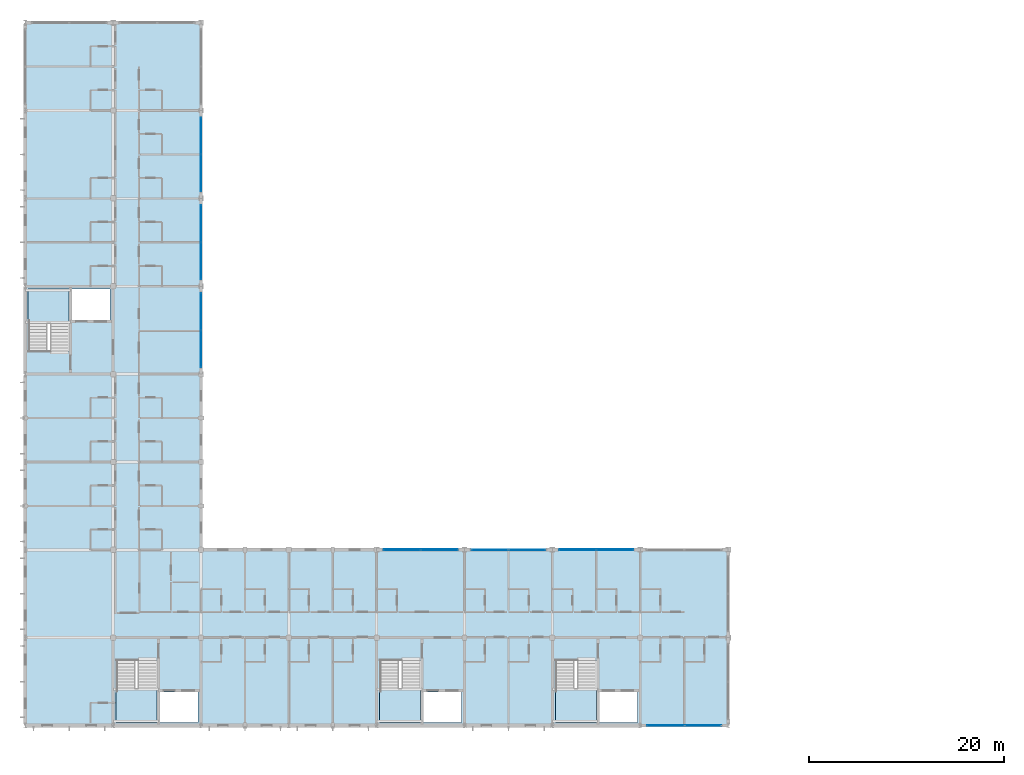
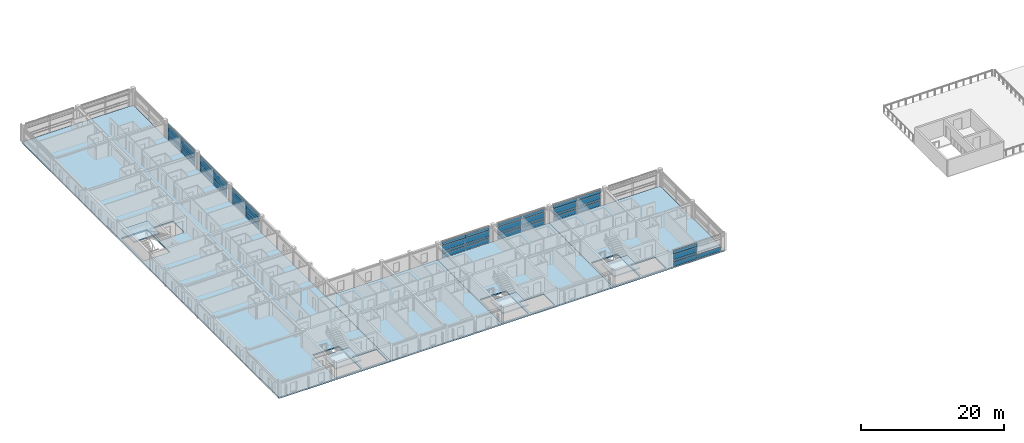
# One storey, part 11 of 30: 53 plates, 8 slabs, 7 elements without a shape of their own.
"""IFC4 building model written with IfcOpenShell, lengths in metres."""

from ifc_helpers import new_model, si_unit, direction, frame, origin, origin_2d, place, context, subcontext, project, spatial, polyline, rectangle, outline, extrude, material, layer, layer_set, type_object, element, aggregate, save


model = new_model("IFC4")

# Units and contexts
model_context = context("Model", 3, precision=1e-05, world=origin(), true_north=direction((0.0, 1.0)))
body_context = subcontext(model_context, "Body", "Model", "MODEL_VIEW")
ifc_project = project(units=[si_unit("LENGTHUNIT", "METRE"), si_unit("AREAUNIT", "SQUARE_METRE"), si_unit("VOLUMEUNIT", "CUBIC_METRE"), si_unit("PLANEANGLEUNIT", "RADIAN"), si_unit("MASSUNIT", "GRAM", prefix="KILO")], contexts=[model_context])

# Site, building, storey
site_placement = place(None, origin())
site = spatial("IfcSite", under=ifc_project, at=site_placement, CompositionType="ELEMENT")
building_placement = place(site_placement, origin())
building = spatial("IfcBuilding", under=site, at=building_placement, Name="Palais des Congres Ocreval", CompositionType="ELEMENT")
storey_placement = place(building_placement, frame((0.0, 0.0, 14.56005859375)))
storey = spatial("IfcBuildingStorey", under=building, at=storey_placement, Name="L04", CompositionType="ELEMENT", Elevation=14.56005859375)

# Curtain wall, plates
ifc_material_1 = material(Name="Anodized bronze aluminium and low-E glass", Category="glass")
curtain_wall_type = type_object("IfcCurtainWallType", Name="Unitised Curtain Wall 7900x2820", PredefinedType="USERDEFINED", material=ifc_material_1)
curtain_wall_1_placement = place(storey_placement, origin())
curtain_wall_1 = element("IfcCurtainWall", 1, at=curtain_wall_1_placement, inside=storey, type_object=curtain_wall_type, Name="Unitised Curtain Wall CW04 L04", ObjectType="UNITISED CURTAIN WALL", PredefinedType="USERDEFINED")
ifc_material_2 = material(Name="Acoustic triple glazing", Category="glass")
ifc_layer_1 = layer(ifc_material_2, 0.0439453125)
ifc_layer_set_1 = layer_set([ifc_layer_1], Name="Acoustic Laminated Glazing Panel 44 (Acoustic triple glazing)")
plate_type_1 = type_object("IfcPlateType", Name="Acoustic Laminated Glazing Panel 44", PredefinedType="CURTAIN_PANEL", material=ifc_layer_set_1)
plate_1_placement = place(storey_placement, frame((18.0, 60.407470703125, 0.06005859375), z_axis=(0.0, 0.0, 1.0), x_axis=(0.0, -1.0, 0.0)))
plate_1 = element("IfcPlate", 2, at=plate_1_placement, type_object=plate_type_1, Name="Vision Glazing Panel VP02", PredefinedType="CURTAIN_PANEL", context=body_context, shape_type="SweptSolid", body=[
    extrude(rectangle(XDim=3.7451171875, YDim=0.0439453125, at=origin_2d()), origin(), (0.0, 0.0, 1.0), 0.68994140625),
])
plate_2_placement = place(storey_placement, frame((18.0, 60.407470703125, 0.809814453125), z_axis=(0.0, 0.0, 1.0), x_axis=(0.0, -1.0, 0.0)))
plate_2 = element("IfcPlate", 3, at=plate_2_placement, type_object=plate_type_1, Name="Vision Glazing Panel VP02", PredefinedType="CURTAIN_PANEL", context=body_context, shape_type="SweptSolid", body=[
    extrude(rectangle(XDim=3.7451171875, YDim=0.0439453125, at=origin_2d()), origin(), (0.0, 0.0, 1.0), 0.353515625),
])
plate_3_placement = place(storey_placement, frame((18.0, 60.407470703125, 1.223388671875), z_axis=(0.0, 0.0, 1.0), x_axis=(0.0, -1.0, 0.0)))
plate_3 = element("IfcPlate", 4, at=plate_3_placement, type_object=plate_type_1, Name="Vision Glazing Panel VP02", PredefinedType="CURTAIN_PANEL", context=body_context, shape_type="SweptSolid", body=[
    extrude(rectangle(XDim=3.7451171875, YDim=0.0439453125, at=origin_2d()), origin(), (0.0, 0.0, 1.0), 0.91650390625),
])
plate_4_placement = place(storey_placement, frame((18.0, 56.592529296875, 0.06005859375), z_axis=(0.0, 0.0, 1.0), x_axis=(0.0, -1.0, 0.0)))
plate_4 = element("IfcPlate", 5, at=plate_4_placement, type_object=plate_type_1, Name="Vision Glazing Panel VP02", PredefinedType="CURTAIN_PANEL", context=body_context, shape_type="SweptSolid", body=[
    extrude(rectangle(XDim=3.7451171875, YDim=0.0439453125, at=origin_2d()), origin(), (0.0, 0.0, 1.0), 0.68994140625),
])
plate_5_placement = place(storey_placement, frame((18.0, 56.592529296875, 0.809814453125), z_axis=(0.0, 0.0, 1.0), x_axis=(0.0, -1.0, 0.0)))
plate_5 = element("IfcPlate", 6, at=plate_5_placement, type_object=plate_type_1, Name="Vision Glazing Panel VP02", PredefinedType="CURTAIN_PANEL", context=body_context, shape_type="SweptSolid", body=[
    extrude(rectangle(XDim=3.7451171875, YDim=0.0439453125, at=origin_2d()), origin(), (0.0, 0.0, 1.0), 0.353515625),
])
plate_6_placement = place(storey_placement, frame((18.0, 56.592529296875, 1.223388671875), z_axis=(0.0, 0.0, 1.0), x_axis=(0.0, -1.0, 0.0)))
plate_6 = element("IfcPlate", 7, at=plate_6_placement, type_object=plate_type_1, Name="Vision Glazing Panel VP02", PredefinedType="CURTAIN_PANEL", context=body_context, shape_type="SweptSolid", body=[
    extrude(rectangle(XDim=3.7451171875, YDim=0.0439453125, at=origin_2d()), origin(), (0.0, 0.0, 1.0), 0.91650390625),
])

curtain_wall_2_placement = place(storey_placement, origin())
curtain_wall_2 = element("IfcCurtainWall", 8, at=curtain_wall_2_placement, inside=storey, type_object=curtain_wall_type, Name="Unitised Curtain Wall CW04 L04", ObjectType="UNITISED CURTAIN WALL", PredefinedType="USERDEFINED")
plate_7_placement = place(storey_placement, frame((38.59130859375, 18.0, 0.06005859375), z_axis=(0.0, 0.0, 1.0), x_axis=(1.0, 0.0, 0.0)))
plate_7 = element("IfcPlate", 9, at=plate_7_placement, type_object=plate_type_1, Name="Vision Glazing Panel VP02", PredefinedType="CURTAIN_PANEL", context=body_context, shape_type="SweptSolid", body=[
    extrude(rectangle(XDim=3.75244140625, YDim=0.0439453125, at=origin_2d()), origin(), (0.0, 0.0, 1.0), 0.68994140625),
])
plate_8_placement = place(storey_placement, frame((38.59130859375, 18.0, 0.809814453125), z_axis=(0.0, 0.0, 1.0), x_axis=(1.0, 0.0, 0.0)))
plate_8 = element("IfcPlate", 10, at=plate_8_placement, type_object=plate_type_1, Name="Vision Glazing Panel VP02", PredefinedType="CURTAIN_PANEL", context=body_context, shape_type="SweptSolid", body=[
    extrude(rectangle(XDim=3.75244140625, YDim=0.0439453125, at=origin_2d()), origin(), (0.0, 0.0, 1.0), 0.353515625),
])
plate_9_placement = place(storey_placement, frame((38.59130859375, 18.0, 1.223388671875), z_axis=(0.0, 0.0, 1.0), x_axis=(1.0, 0.0, 0.0)))
plate_9 = element("IfcPlate", 11, at=plate_9_placement, type_object=plate_type_1, Name="Vision Glazing Panel VP02", PredefinedType="CURTAIN_PANEL", context=body_context, shape_type="SweptSolid", body=[
    extrude(rectangle(XDim=3.75244140625, YDim=0.0439453125, at=origin_2d()), origin(), (0.0, 0.0, 1.0), 0.91650390625),
])
plate_10_placement = place(storey_placement, frame((42.40869140625, 18.0, 0.06005859375), z_axis=(0.0, 0.0, 1.0), x_axis=(1.0, 0.0, 0.0)))
plate_10 = element("IfcPlate", 12, at=plate_10_placement, type_object=plate_type_1, Name="Vision Glazing Panel VP02", PredefinedType="CURTAIN_PANEL", context=body_context, shape_type="SweptSolid", body=[
    extrude(rectangle(XDim=3.75244140625, YDim=0.0439453125, at=origin_2d()), origin(), (0.0, 0.0, 1.0), 0.68994140625),
])
plate_11_placement = place(storey_placement, frame((42.40869140625, 18.0, 0.809814453125), z_axis=(0.0, 0.0, 1.0), x_axis=(1.0, 0.0, 0.0)))
plate_11 = element("IfcPlate", 13, at=plate_11_placement, type_object=plate_type_1, Name="Vision Glazing Panel VP02", PredefinedType="CURTAIN_PANEL", context=body_context, shape_type="SweptSolid", body=[
    extrude(rectangle(XDim=3.75244140625, YDim=0.0439453125, at=origin_2d()), origin(), (0.0, 0.0, 1.0), 0.353515625),
])
plate_12_placement = place(storey_placement, frame((42.40869140625, 18.0, 1.223388671875), z_axis=(0.0, 0.0, 1.0), x_axis=(1.0, 0.0, 0.0)))
plate_12 = element("IfcPlate", 14, at=plate_12_placement, type_object=plate_type_1, Name="Vision Glazing Panel VP02", PredefinedType="CURTAIN_PANEL", context=body_context, shape_type="SweptSolid", body=[
    extrude(rectangle(XDim=3.75244140625, YDim=0.0439453125, at=origin_2d()), origin(), (0.0, 0.0, 1.0), 0.91650390625),
])

# Plate
ifc_material_3 = material(Name="Anodized bronze aluminium", Category="aluminium")
ifc_layer_2 = layer(ifc_material_3, 0.06005859375)
ifc_layer_set_2 = layer_set([ifc_layer_2], Name="Anodized Bronze Spandrel Cassette 60 (Anodized bronze aluminium)")
plate_type_2 = type_object("IfcPlateType", Name="Anodized Bronze Spandrel Cassette 60", PredefinedType="SHEET", material=ifc_layer_set_2)
plate_13_placement = place(storey_placement, frame((18.0, 60.407470703125, 2.199951171875), z_axis=(0.0, 0.0, 1.0), x_axis=(0.0, -1.0, 0.0)))
plate_13 = element("IfcPlate", 15, at=plate_13_placement, type_object=plate_type_2, Name="Spandrel Sheet SPN1", PredefinedType="SHEET", context=body_context, shape_type="SweptSolid", body=[
    extrude(rectangle(XDim=3.7451171875, YDim=0.06005859375, at=origin_2d()), origin(), (0.0, 0.0, 1.0), 0.56005859375),
])

plate_14_placement = place(storey_placement, frame((18.0, 56.592529296875, 2.199951171875), z_axis=(0.0, 0.0, 1.0), x_axis=(0.0, -1.0, 0.0)))
plate_14 = element("IfcPlate", 16, at=plate_14_placement, type_object=plate_type_2, Name="Spandrel Sheet SPN1", PredefinedType="SHEET", context=body_context, shape_type="SweptSolid", body=[
    extrude(rectangle(XDim=3.7451171875, YDim=0.06005859375, at=origin_2d()), origin(), (0.0, 0.0, 1.0), 0.56005859375),
])

aggregate(curtain_wall_1, [plate_1, plate_2, plate_3, plate_13, plate_4, plate_5, plate_6, plate_14])

# Curtain wall, plates
curtain_wall_3_placement = place(storey_placement, origin())
curtain_wall_3 = element("IfcCurtainWall", 17, at=curtain_wall_3_placement, inside=storey, type_object=curtain_wall_type, Name="Unitised Curtain Wall CW04 L04", ObjectType="UNITISED CURTAIN WALL", PredefinedType="USERDEFINED")
plate_15_placement = place(storey_placement, frame((18.0, 42.407470703125, 2.199951171875), z_axis=(0.0, 0.0, 1.0), x_axis=(0.0, -1.0, 0.0)))
plate_15 = element("IfcPlate", 18, at=plate_15_placement, type_object=plate_type_2, Name="Spandrel Sheet SPN1", PredefinedType="SHEET", context=body_context, shape_type="SweptSolid", body=[
    extrude(rectangle(XDim=3.7451171875, YDim=0.06005859375, at=origin_2d()), origin(), (0.0, 0.0, 1.0), 0.56005859375),
])
plate_16_placement = place(storey_placement, frame((18.0, 38.592529296875, 2.199951171875), z_axis=(0.0, 0.0, 1.0), x_axis=(0.0, -1.0, 0.0)))
plate_16 = element("IfcPlate", 19, at=plate_16_placement, type_object=plate_type_2, Name="Spandrel Sheet SPN1", PredefinedType="SHEET", context=body_context, shape_type="SweptSolid", body=[
    extrude(rectangle(XDim=3.7451171875, YDim=0.06005859375, at=origin_2d()), origin(), (0.0, 0.0, 1.0), 0.56005859375),
])

curtain_wall_4_placement = place(storey_placement, origin())
curtain_wall_4 = element("IfcCurtainWall", 20, at=curtain_wall_4_placement, inside=storey, type_object=curtain_wall_type, Name="Unitised Curtain Wall CW04 L04", ObjectType="UNITISED CURTAIN WALL", PredefinedType="USERDEFINED")
plate_17_placement = place(storey_placement, frame((47.592529296875, 18.0, 2.199951171875), z_axis=(0.0, 0.0, 1.0), x_axis=(1.0, 0.0, 0.0)))
plate_17 = element("IfcPlate", 21, at=plate_17_placement, type_object=plate_type_2, Name="Spandrel Sheet SPN1", PredefinedType="SHEET", context=body_context, shape_type="SweptSolid", body=[
    extrude(rectangle(XDim=3.7451171875, YDim=0.06005859375, at=origin_2d()), origin(), (0.0, 0.0, 1.0), 0.56005859375),
])
plate_18_placement = place(storey_placement, frame((51.407470703125, 18.0, 2.199951171875), z_axis=(0.0, 0.0, 1.0), x_axis=(1.0, 0.0, 0.0)))
plate_18 = element("IfcPlate", 22, at=plate_18_placement, type_object=plate_type_2, Name="Spandrel Sheet SPN1", PredefinedType="SHEET", context=body_context, shape_type="SweptSolid", body=[
    extrude(rectangle(XDim=3.7451171875, YDim=0.06005859375, at=origin_2d()), origin(), (0.0, 0.0, 1.0), 0.56005859375),
])

curtain_wall_5_placement = place(storey_placement, origin())
curtain_wall_5 = element("IfcCurtainWall", 23, at=curtain_wall_5_placement, inside=storey, type_object=curtain_wall_type, Name="Unitised Curtain Wall CW04 L04", ObjectType="UNITISED CURTAIN WALL", PredefinedType="USERDEFINED")
ifc_material_4 = material(Name="Low-E solar-control double glazing", Category="glass")
ifc_layer_3 = layer(ifc_material_4, 0.031982421875)
ifc_layer_set_3 = layer_set([ifc_layer_3], Name="Galleria Clear Vision Panel 32 (Low-E solar-control double glazing)")
plate_type_3 = type_object("IfcPlateType", Name="Galleria Clear Vision Panel 32", PredefinedType="CURTAIN_PANEL", material=ifc_layer_set_3)
plate_19_placement = place(storey_placement, frame((69.40869140625, 0.0, 0.06005859375), z_axis=(0.0, 0.0, 1.0), x_axis=(-1.0, 0.0, 0.0)))
plate_19 = element("IfcPlate", 24, at=plate_19_placement, type_object=plate_type_3, Name="Vision Glazing Panel VP03", PredefinedType="CURTAIN_PANEL", context=body_context, shape_type="SweptSolid", body=[
    extrude(rectangle(XDim=3.75244140625, YDim=0.031982421875, at=origin_2d()), origin(), (0.0, 0.0, 1.0), 0.68994140625),
])
plate_20_placement = place(storey_placement, frame((65.59130859375, 0.0, 0.06005859375), z_axis=(0.0, 0.0, 1.0), x_axis=(-1.0, 0.0, 0.0)))
plate_20 = element("IfcPlate", 25, at=plate_20_placement, type_object=plate_type_3, Name="Vision Glazing Panel VP03", PredefinedType="CURTAIN_PANEL", context=body_context, shape_type="SweptSolid", body=[
    extrude(rectangle(XDim=3.75244140625, YDim=0.031982421875, at=origin_2d()), origin(), (0.0, 0.0, 1.0), 0.68994140625),
])
plate_21_placement = place(storey_placement, frame((65.59130859375, 0.0, 0.809814453125), z_axis=(0.0, 0.0, 1.0), x_axis=(-1.0, 0.0, 0.0)))
plate_21 = element("IfcPlate", 26, at=plate_21_placement, type_object=plate_type_3, Name="Vision Glazing Panel VP03", PredefinedType="CURTAIN_PANEL", context=body_context, shape_type="SweptSolid", body=[
    extrude(rectangle(XDim=3.75244140625, YDim=0.031982421875, at=origin_2d()), origin(), (0.0, 0.0, 1.0), 0.353515625),
])
plate_22_placement = place(storey_placement, frame((65.59130859375, 0.0, 1.223388671875), z_axis=(0.0, 0.0, 1.0), x_axis=(-1.0, 0.0, 0.0)))
plate_22 = element("IfcPlate", 27, at=plate_22_placement, type_object=plate_type_3, Name="Vision Glazing Panel VP03", PredefinedType="CURTAIN_PANEL", context=body_context, shape_type="SweptSolid", body=[
    extrude(rectangle(XDim=3.75244140625, YDim=0.031982421875, at=origin_2d()), origin(), (0.0, 0.0, 1.0), 0.91650390625),
])

curtain_wall_6_placement = place(storey_placement, origin())
curtain_wall_6 = element("IfcCurtainWall", 28, at=curtain_wall_6_placement, inside=storey, type_object=curtain_wall_type, Name="Unitised Curtain Wall CW04 L04", ObjectType="UNITISED CURTAIN WALL", PredefinedType="USERDEFINED")
plate_23_placement = place(storey_placement, frame((18.0, 51.40869140625, 0.06005859375), z_axis=(0.0, 0.0, 1.0), x_axis=(0.0, -1.0, 0.0)))
plate_23 = element("IfcPlate", 29, at=plate_23_placement, type_object=plate_type_3, Name="Vision Glazing Panel VP03", PredefinedType="CURTAIN_PANEL", context=body_context, shape_type="SweptSolid", body=[
    extrude(rectangle(XDim=3.75244140625, YDim=0.031982421875, at=origin_2d()), origin(), (0.0, 0.0, 1.0), 0.68994140625),
])
plate_24_placement = place(storey_placement, frame((18.0, 51.40869140625, 0.809814453125), z_axis=(0.0, 0.0, 1.0), x_axis=(0.0, -1.0, 0.0)))
plate_24 = element("IfcPlate", 30, at=plate_24_placement, type_object=plate_type_3, Name="Vision Glazing Panel VP03", PredefinedType="CURTAIN_PANEL", context=body_context, shape_type="SweptSolid", body=[
    extrude(rectangle(XDim=3.75244140625, YDim=0.031982421875, at=origin_2d()), origin(), (0.0, 0.0, 1.0), 0.353515625),
])
plate_25_placement = place(storey_placement, frame((18.0, 51.40869140625, 1.223388671875), z_axis=(0.0, 0.0, 1.0), x_axis=(0.0, -1.0, 0.0)))
plate_25 = element("IfcPlate", 31, at=plate_25_placement, type_object=plate_type_3, Name="Vision Glazing Panel VP03", PredefinedType="CURTAIN_PANEL", context=body_context, shape_type="SweptSolid", body=[
    extrude(rectangle(XDim=3.75244140625, YDim=0.031982421875, at=origin_2d()), origin(), (0.0, 0.0, 1.0), 0.91650390625),
])
plate_26_placement = place(storey_placement, frame((18.0, 47.59130859375, 0.06005859375), z_axis=(0.0, 0.0, 1.0), x_axis=(0.0, -1.0, 0.0)))
plate_26 = element("IfcPlate", 32, at=plate_26_placement, type_object=plate_type_3, Name="Vision Glazing Panel VP03", PredefinedType="CURTAIN_PANEL", context=body_context, shape_type="SweptSolid", body=[
    extrude(rectangle(XDim=3.75244140625, YDim=0.031982421875, at=origin_2d()), origin(), (0.0, 0.0, 1.0), 0.68994140625),
])
plate_27_placement = place(storey_placement, frame((18.0, 47.59130859375, 0.809814453125), z_axis=(0.0, 0.0, 1.0), x_axis=(0.0, -1.0, 0.0)))
plate_27 = element("IfcPlate", 33, at=plate_27_placement, type_object=plate_type_3, Name="Vision Glazing Panel VP03", PredefinedType="CURTAIN_PANEL", context=body_context, shape_type="SweptSolid", body=[
    extrude(rectangle(XDim=3.75244140625, YDim=0.031982421875, at=origin_2d()), origin(), (0.0, 0.0, 1.0), 0.353515625),
])
plate_28_placement = place(storey_placement, frame((18.0, 47.59130859375, 1.223388671875), z_axis=(0.0, 0.0, 1.0), x_axis=(0.0, -1.0, 0.0)))
plate_28 = element("IfcPlate", 34, at=plate_28_placement, type_object=plate_type_3, Name="Vision Glazing Panel VP03", PredefinedType="CURTAIN_PANEL", context=body_context, shape_type="SweptSolid", body=[
    extrude(rectangle(XDim=3.75244140625, YDim=0.031982421875, at=origin_2d()), origin(), (0.0, 0.0, 1.0), 0.91650390625),
])

# Plate
plate_29_placement = place(storey_placement, frame((47.592529296875, 18.0, 0.06005859375), z_axis=(0.0, 0.0, 1.0), x_axis=(1.0, 0.0, 0.0)))
plate_29 = element("IfcPlate", 35, at=plate_29_placement, type_object=plate_type_3, Name="Vision Glazing Panel VP03", PredefinedType="CURTAIN_PANEL", context=body_context, shape_type="SweptSolid", body=[
    extrude(rectangle(XDim=3.7451171875, YDim=0.031982421875, at=origin_2d()), origin(), (0.0, 0.0, 1.0), 0.68994140625),
])

plate_30_placement = place(storey_placement, frame((47.592529296875, 18.0, 0.809814453125), z_axis=(0.0, 0.0, 1.0), x_axis=(1.0, 0.0, 0.0)))
plate_30 = element("IfcPlate", 36, at=plate_30_placement, type_object=plate_type_3, Name="Vision Glazing Panel VP03", PredefinedType="CURTAIN_PANEL", context=body_context, shape_type="SweptSolid", body=[
    extrude(rectangle(XDim=3.7451171875, YDim=0.031982421875, at=origin_2d()), origin(), (0.0, 0.0, 1.0), 0.353515625),
])

plate_31_placement = place(storey_placement, frame((47.592529296875, 18.0, 1.223388671875), z_axis=(0.0, 0.0, 1.0), x_axis=(1.0, 0.0, 0.0)))
plate_31 = element("IfcPlate", 37, at=plate_31_placement, type_object=plate_type_3, Name="Vision Glazing Panel VP03", PredefinedType="CURTAIN_PANEL", context=body_context, shape_type="SweptSolid", body=[
    extrude(rectangle(XDim=3.7451171875, YDim=0.031982421875, at=origin_2d()), origin(), (0.0, 0.0, 1.0), 0.91650390625),
])

plate_32_placement = place(storey_placement, frame((51.407470703125, 18.0, 0.06005859375), z_axis=(0.0, 0.0, 1.0), x_axis=(1.0, 0.0, 0.0)))
plate_32 = element("IfcPlate", 38, at=plate_32_placement, type_object=plate_type_3, Name="Vision Glazing Panel VP03", PredefinedType="CURTAIN_PANEL", context=body_context, shape_type="SweptSolid", body=[
    extrude(rectangle(XDim=3.7451171875, YDim=0.031982421875, at=origin_2d()), origin(), (0.0, 0.0, 1.0), 0.68994140625),
])

plate_33_placement = place(storey_placement, frame((51.407470703125, 18.0, 0.809814453125), z_axis=(0.0, 0.0, 1.0), x_axis=(1.0, 0.0, 0.0)))
plate_33 = element("IfcPlate", 39, at=plate_33_placement, type_object=plate_type_3, Name="Vision Glazing Panel VP03", PredefinedType="CURTAIN_PANEL", context=body_context, shape_type="SweptSolid", body=[
    extrude(rectangle(XDim=3.7451171875, YDim=0.031982421875, at=origin_2d()), origin(), (0.0, 0.0, 1.0), 0.353515625),
])

plate_34_placement = place(storey_placement, frame((51.407470703125, 18.0, 1.223388671875), z_axis=(0.0, 0.0, 1.0), x_axis=(1.0, 0.0, 0.0)))
plate_34 = element("IfcPlate", 40, at=plate_34_placement, type_object=plate_type_3, Name="Vision Glazing Panel VP03", PredefinedType="CURTAIN_PANEL", context=body_context, shape_type="SweptSolid", body=[
    extrude(rectangle(XDim=3.7451171875, YDim=0.031982421875, at=origin_2d()), origin(), (0.0, 0.0, 1.0), 0.91650390625),
])

aggregate(curtain_wall_4, [plate_29, plate_30, plate_31, plate_17, plate_32, plate_33, plate_34, plate_18])

ifc_layer_4 = layer(ifc_material_4, 0.035888671875)
ifc_layer_set_4 = layer_set([ifc_layer_4], Name="Low-E Vision Glazing Panel 36 (Low-E solar-control double glazing)")
plate_type_4 = type_object("IfcPlateType", Name="Low-E Vision Glazing Panel 36", PredefinedType="CURTAIN_PANEL", material=ifc_layer_set_4)
plate_35_placement = place(storey_placement, frame((18.0, 42.407470703125, 0.06005859375), z_axis=(0.0, 0.0, 1.0), x_axis=(0.0, -1.0, 0.0)))
plate_35 = element("IfcPlate", 41, at=plate_35_placement, type_object=plate_type_4, Name="Vision Glazing Panel VP01", PredefinedType="CURTAIN_PANEL", context=body_context, shape_type="SweptSolid", body=[
    extrude(rectangle(XDim=3.7451171875, YDim=0.035888671875, at=origin_2d()), origin(), (0.0, 0.0, 1.0), 0.68994140625),
])

plate_36_placement = place(storey_placement, frame((18.0, 42.407470703125, 0.809814453125), z_axis=(0.0, 0.0, 1.0), x_axis=(0.0, -1.0, 0.0)))
plate_36 = element("IfcPlate", 42, at=plate_36_placement, type_object=plate_type_4, Name="Vision Glazing Panel VP01", PredefinedType="CURTAIN_PANEL", context=body_context, shape_type="SweptSolid", body=[
    extrude(rectangle(XDim=3.7451171875, YDim=0.035888671875, at=origin_2d()), origin(), (0.0, 0.0, 1.0), 0.353515625),
])

plate_37_placement = place(storey_placement, frame((18.0, 42.407470703125, 1.223388671875), z_axis=(0.0, 0.0, 1.0), x_axis=(0.0, -1.0, 0.0)))
plate_37 = element("IfcPlate", 43, at=plate_37_placement, type_object=plate_type_4, Name="Vision Glazing Panel VP01", PredefinedType="CURTAIN_PANEL", context=body_context, shape_type="SweptSolid", body=[
    extrude(rectangle(XDim=3.7451171875, YDim=0.035888671875, at=origin_2d()), origin(), (0.0, 0.0, 1.0), 0.91650390625),
])

plate_38_placement = place(storey_placement, frame((18.0, 38.592529296875, 0.06005859375), z_axis=(0.0, 0.0, 1.0), x_axis=(0.0, -1.0, 0.0)))
plate_38 = element("IfcPlate", 44, at=plate_38_placement, type_object=plate_type_4, Name="Vision Glazing Panel VP01", PredefinedType="CURTAIN_PANEL", context=body_context, shape_type="SweptSolid", body=[
    extrude(rectangle(XDim=3.7451171875, YDim=0.035888671875, at=origin_2d()), origin(), (0.0, 0.0, 1.0), 0.68994140625),
])

plate_39_placement = place(storey_placement, frame((18.0, 38.592529296875, 0.809814453125), z_axis=(0.0, 0.0, 1.0), x_axis=(0.0, -1.0, 0.0)))
plate_39 = element("IfcPlate", 45, at=plate_39_placement, type_object=plate_type_4, Name="Vision Glazing Panel VP01", PredefinedType="CURTAIN_PANEL", context=body_context, shape_type="SweptSolid", body=[
    extrude(rectangle(XDim=3.7451171875, YDim=0.035888671875, at=origin_2d()), origin(), (0.0, 0.0, 1.0), 0.353515625),
])

plate_40_placement = place(storey_placement, frame((18.0, 38.592529296875, 1.223388671875), z_axis=(0.0, 0.0, 1.0), x_axis=(0.0, -1.0, 0.0)))
plate_40 = element("IfcPlate", 46, at=plate_40_placement, type_object=plate_type_4, Name="Vision Glazing Panel VP01", PredefinedType="CURTAIN_PANEL", context=body_context, shape_type="SweptSolid", body=[
    extrude(rectangle(XDim=3.7451171875, YDim=0.035888671875, at=origin_2d()), origin(), (0.0, 0.0, 1.0), 0.91650390625),
])

aggregate(curtain_wall_3, [plate_35, plate_36, plate_37, plate_15, plate_38, plate_39, plate_40, plate_16])

# Curtain wall, plates
curtain_wall_7_placement = place(storey_placement, origin())
curtain_wall_7 = element("IfcCurtainWall", 47, at=curtain_wall_7_placement, inside=storey, type_object=curtain_wall_type, Name="Unitised Curtain Wall CW04 L04", ObjectType="UNITISED CURTAIN WALL", PredefinedType="USERDEFINED")
plate_41_placement = place(storey_placement, frame((56.59130859375, 18.0, 0.06005859375), z_axis=(0.0, 0.0, 1.0), x_axis=(1.0, 0.0, 0.0)))
plate_41 = element("IfcPlate", 48, at=plate_41_placement, type_object=plate_type_4, Name="Vision Glazing Panel VP01", PredefinedType="CURTAIN_PANEL", context=body_context, shape_type="SweptSolid", body=[
    extrude(rectangle(XDim=3.75244140625, YDim=0.035888671875, at=origin_2d()), origin(), (0.0, 0.0, 1.0), 0.68994140625),
])
plate_42_placement = place(storey_placement, frame((56.59130859375, 18.0, 0.809814453125), z_axis=(0.0, 0.0, 1.0), x_axis=(1.0, 0.0, 0.0)))
plate_42 = element("IfcPlate", 49, at=plate_42_placement, type_object=plate_type_4, Name="Vision Glazing Panel VP01", PredefinedType="CURTAIN_PANEL", context=body_context, shape_type="SweptSolid", body=[
    extrude(rectangle(XDim=3.75244140625, YDim=0.035888671875, at=origin_2d()), origin(), (0.0, 0.0, 1.0), 0.353515625),
])
plate_43_placement = place(storey_placement, frame((56.59130859375, 18.0, 1.223388671875), z_axis=(0.0, 0.0, 1.0), x_axis=(1.0, 0.0, 0.0)))
plate_43 = element("IfcPlate", 50, at=plate_43_placement, type_object=plate_type_4, Name="Vision Glazing Panel VP01", PredefinedType="CURTAIN_PANEL", context=body_context, shape_type="SweptSolid", body=[
    extrude(rectangle(XDim=3.75244140625, YDim=0.035888671875, at=origin_2d()), origin(), (0.0, 0.0, 1.0), 0.91650390625),
])
plate_44_placement = place(storey_placement, frame((60.40869140625, 18.0, 0.06005859375), z_axis=(0.0, 0.0, 1.0), x_axis=(1.0, 0.0, 0.0)))
plate_44 = element("IfcPlate", 51, at=plate_44_placement, type_object=plate_type_4, Name="Vision Glazing Panel VP01", PredefinedType="CURTAIN_PANEL", context=body_context, shape_type="SweptSolid", body=[
    extrude(rectangle(XDim=3.75244140625, YDim=0.035888671875, at=origin_2d()), origin(), (0.0, 0.0, 1.0), 0.68994140625),
])
plate_45_placement = place(storey_placement, frame((60.40869140625, 18.0, 0.809814453125), z_axis=(0.0, 0.0, 1.0), x_axis=(1.0, 0.0, 0.0)))
plate_45 = element("IfcPlate", 52, at=plate_45_placement, type_object=plate_type_4, Name="Vision Glazing Panel VP01", PredefinedType="CURTAIN_PANEL", context=body_context, shape_type="SweptSolid", body=[
    extrude(rectangle(XDim=3.75244140625, YDim=0.035888671875, at=origin_2d()), origin(), (0.0, 0.0, 1.0), 0.353515625),
])
plate_46_placement = place(storey_placement, frame((60.40869140625, 18.0, 1.223388671875), z_axis=(0.0, 0.0, 1.0), x_axis=(1.0, 0.0, 0.0)))
plate_46 = element("IfcPlate", 53, at=plate_46_placement, type_object=plate_type_4, Name="Vision Glazing Panel VP01", PredefinedType="CURTAIN_PANEL", context=body_context, shape_type="SweptSolid", body=[
    extrude(rectangle(XDim=3.75244140625, YDim=0.035888671875, at=origin_2d()), origin(), (0.0, 0.0, 1.0), 0.91650390625),
])

# Slabs
ifc_material_5 = material(Name="Concrete C40/50", Category="concrete")
ifc_layer_5 = layer(ifc_material_5, 0.219970703125)
ifc_layer_set_5 = layer_set([ifc_layer_5], Name="Post-Tensioned Hotel Slab 220 Concrete C40/50")
slab_type_1 = type_object("IfcSlabType", Name="Post-Tensioned Hotel Slab 220 Concrete C40/50", PredefinedType="FLOOR", material=ifc_layer_set_5)
slab_1_placement = place(storey_placement, frame((0.0, 0.0, -0.219970703125)))
element("IfcSlab", 54, at=slab_1_placement, inside=storey, type_object=slab_type_1, Name="Floor Slab SL11 L04 V4-1", PredefinedType="FLOOR", context=body_context, shape_type="SweptSolid", body=[
    extrude(outline(polyline([(0.0, 0.0), (0.0, 18.0), (0.0, 72.0), (18.0, 72.0), (18.0, 18.0), (18.0, 0.0), (0.0, 0.0)]), holes=[polyline([(13.800048828125, 0.300048828125), (17.699951171875, 0.300048828125), (17.699951171875, 3.449951171875), (13.800048828125, 3.449951171875), (13.800048828125, 0.300048828125)]), polyline([(9.300048828125, 6.64990234375), (9.300048828125, 0.300048828125), (13.5, 0.300048828125), (13.5, 6.64990234375), (9.300048828125, 6.64990234375)]), polyline([(0.300048828125, 44.699951171875), (0.300048828125, 38.35009765625), (4.5, 38.35009765625), (4.5, 44.699951171875), (0.300048828125, 44.699951171875)]), polyline([(4.800048828125, 44.699951171875), (4.800048828125, 41.550048828125), (8.699951171875, 41.550048828125), (8.699951171875, 44.699951171875), (4.800048828125, 44.699951171875)])]), origin(), (0.0, 0.0, 1.0), 0.219970703125),
])
slab_2_placement = place(storey_placement, frame((0.0, 0.0, -0.219970703125)))
element("IfcSlab", 55, at=slab_2_placement, inside=storey, type_object=slab_type_1, Name="Floor Slab SL11 L04 V4-2", PredefinedType="FLOOR", context=body_context, shape_type="SweptSolid", body=[
    extrude(outline(polyline([(18.0, 0.0), (18.0, 18.0), (36.0, 18.0), (36.0, 0.0), (18.0, 0.0)])), origin(), (0.0, 0.0, 1.0), 0.219970703125),
])
slab_3_placement = place(storey_placement, frame((0.0, 0.0, -0.219970703125)))
element("IfcSlab", 56, at=slab_3_placement, inside=storey, type_object=slab_type_1, Name="Floor Slab SL11 L04 V4-3", PredefinedType="FLOOR", context=body_context, shape_type="SweptSolid", body=[
    extrude(outline(polyline([(36.0, 0.0), (36.0, 18.0), (54.0, 18.0), (54.0, 0.0), (36.0, 0.0)]), holes=[polyline([(40.800048828125, 0.300048828125), (44.699951171875, 0.300048828125), (44.699951171875, 3.449951171875), (40.800048828125, 3.449951171875), (40.800048828125, 0.300048828125)]), polyline([(36.300048828125, 0.300048828125), (40.5, 0.300048828125), (40.5, 6.64990234375), (36.300048828125, 6.64990234375), (36.300048828125, 0.300048828125)])]), origin(), (0.0, 0.0, 1.0), 0.219970703125),
])
slab_4_placement = place(storey_placement, frame((0.0, 0.0, -0.219970703125)))
element("IfcSlab", 57, at=slab_4_placement, inside=storey, type_object=slab_type_1, Name="Floor Slab SL11 L04 V4-4", PredefinedType="FLOOR", context=body_context, shape_type="SweptSolid", body=[
    extrude(outline(polyline([(54.0, 0.0), (54.0, 18.0), (72.0, 18.0), (72.0, 0.0), (54.0, 0.0)]), holes=[polyline([(58.800048828125, 0.300048828125), (62.699951171875, 0.300048828125), (62.699951171875, 3.449951171875), (58.800048828125, 3.449951171875), (58.800048828125, 0.300048828125)]), polyline([(54.300048828125, 0.300048828125), (58.5, 0.300048828125), (58.5, 6.64990234375), (54.300048828125, 6.64990234375), (54.300048828125, 0.300048828125)])]), origin(), (0.0, 0.0, 1.0), 0.219970703125),
])
ifc_layer_6 = layer(ifc_material_5, 0.199951171875)
ifc_layer_set_6 = layer_set([ifc_layer_6], Name="Stair and Ramp Landing Slab 200 Concrete C40/50")
slab_type_2 = type_object("IfcSlabType", Name="Stair and Ramp Landing Slab 200 Concrete C40/50", PredefinedType="LANDING", material=ifc_layer_set_6)
slab_5_placement = place(storey_placement, frame((0.0, 0.0, 1.31982421875)))
element("IfcSlab", 58, at=slab_5_placement, inside=storey, type_object=slab_type_2, Name="Stair Half-Landing ST01 L04", PredefinedType="LANDING", context=body_context, shape_type="SweptSolid", body=[
    extrude(outline(polyline([(9.300048828125, 0.300048828125), (13.5, 0.300048828125), (13.5, 3.81494140625), (9.300048828125, 3.81494140625), (9.300048828125, 0.300048828125)])), origin(), (0.0, 0.0, 1.0), 0.2001953125),
])
slab_6_placement = place(storey_placement, frame((0.0, 0.0, 1.31982421875)))
element("IfcSlab", 59, at=slab_6_placement, inside=storey, type_object=slab_type_2, Name="Stair Half-Landing ST02 L04", PredefinedType="LANDING", context=body_context, shape_type="SweptSolid", body=[
    extrude(outline(polyline([(36.300048828125, 0.300048828125), (40.5, 0.300048828125), (40.5, 3.81494140625), (36.300048828125, 3.81494140625), (36.300048828125, 0.300048828125)])), origin(), (0.0, 0.0, 1.0), 0.2001953125),
])
slab_7_placement = place(storey_placement, frame((0.0, 0.0, 1.31982421875)))
element("IfcSlab", 60, at=slab_7_placement, inside=storey, type_object=slab_type_2, Name="Stair Half-Landing ST03 L04", PredefinedType="LANDING", context=body_context, shape_type="SweptSolid", body=[
    extrude(outline(polyline([(0.300048828125, 41.18505859375), (4.5, 41.18505859375), (4.5, 44.699951171875), (0.300048828125, 44.699951171875), (0.300048828125, 41.18505859375)])), origin(), (0.0, 0.0, 1.0), 0.2001953125),
])
slab_8_placement = place(storey_placement, frame((0.0, 0.0, 1.31982421875)))
element("IfcSlab", 61, at=slab_8_placement, inside=storey, type_object=slab_type_2, Name="Stair Half-Landing ST04 L04", PredefinedType="LANDING", context=body_context, shape_type="SweptSolid", body=[
    extrude(outline(polyline([(54.300048828125, 0.300048828125), (58.5, 0.300048828125), (58.5, 3.81494140625), (54.300048828125, 3.81494140625), (54.300048828125, 0.300048828125)])), origin(), (0.0, 0.0, 1.0), 0.2001953125),
])

# Plate
ifc_material_6 = material(Name="Terracotta ceramic spandrel", Category="masonry")
ifc_layer_7 = layer(ifc_material_6, 0.080078125)
ifc_layer_set_7 = layer_set([ifc_layer_7], Name="Terracotta Insulated Spandrel Sheet 80 (Terracotta ceramic spandrel)")
plate_type_5 = type_object("IfcPlateType", Name="Terracotta Insulated Spandrel Sheet 80", PredefinedType="SHEET", material=ifc_layer_set_7)
plate_47_placement = place(storey_placement, frame((65.59130859375, 0.0, 2.199951171875), z_axis=(0.0, 0.0, 1.0), x_axis=(-1.0, 0.0, 0.0)))
plate_47 = element("IfcPlate", 62, at=plate_47_placement, type_object=plate_type_5, Name="Spandrel Sheet SPN2", PredefinedType="SHEET", context=body_context, shape_type="SweptSolid", body=[
    extrude(rectangle(XDim=3.75244140625, YDim=0.080078125, at=origin_2d()), origin(), (0.0, 0.0, 1.0), 0.56005859375),
])

aggregate(curtain_wall_5, [plate_19, plate_20, plate_21, plate_22, plate_47])

plate_48_placement = place(storey_placement, frame((18.0, 51.40869140625, 2.199951171875), z_axis=(0.0, 0.0, 1.0), x_axis=(0.0, -1.0, 0.0)))
plate_48 = element("IfcPlate", 63, at=plate_48_placement, type_object=plate_type_5, Name="Spandrel Sheet SPN2", PredefinedType="SHEET", context=body_context, shape_type="SweptSolid", body=[
    extrude(rectangle(XDim=3.75244140625, YDim=0.080078125, at=origin_2d()), origin(), (0.0, 0.0, 1.0), 0.56005859375),
])

plate_49_placement = place(storey_placement, frame((18.0, 47.59130859375, 2.199951171875), z_axis=(0.0, 0.0, 1.0), x_axis=(0.0, -1.0, 0.0)))
plate_49 = element("IfcPlate", 64, at=plate_49_placement, type_object=plate_type_5, Name="Spandrel Sheet SPN2", PredefinedType="SHEET", context=body_context, shape_type="SweptSolid", body=[
    extrude(rectangle(XDim=3.75244140625, YDim=0.080078125, at=origin_2d()), origin(), (0.0, 0.0, 1.0), 0.56005859375),
])

aggregate(curtain_wall_6, [plate_23, plate_24, plate_25, plate_48, plate_26, plate_27, plate_28, plate_49])

plate_50_placement = place(storey_placement, frame((38.59130859375, 18.0, 2.199951171875), z_axis=(0.0, 0.0, 1.0), x_axis=(1.0, 0.0, 0.0)))
plate_50 = element("IfcPlate", 65, at=plate_50_placement, type_object=plate_type_5, Name="Spandrel Sheet SPN2", PredefinedType="SHEET", context=body_context, shape_type="SweptSolid", body=[
    extrude(rectangle(XDim=3.75244140625, YDim=0.080078125, at=origin_2d()), origin(), (0.0, 0.0, 1.0), 0.56005859375),
])

plate_51_placement = place(storey_placement, frame((42.40869140625, 18.0, 2.199951171875), z_axis=(0.0, 0.0, 1.0), x_axis=(1.0, 0.0, 0.0)))
plate_51 = element("IfcPlate", 66, at=plate_51_placement, type_object=plate_type_5, Name="Spandrel Sheet SPN2", PredefinedType="SHEET", context=body_context, shape_type="SweptSolid", body=[
    extrude(rectangle(XDim=3.75244140625, YDim=0.080078125, at=origin_2d()), origin(), (0.0, 0.0, 1.0), 0.56005859375),
])

aggregate(curtain_wall_2, [plate_7, plate_8, plate_9, plate_50, plate_10, plate_11, plate_12, plate_51])

plate_52_placement = place(storey_placement, frame((56.59130859375, 18.0, 2.199951171875), z_axis=(0.0, 0.0, 1.0), x_axis=(1.0, 0.0, 0.0)))
plate_52 = element("IfcPlate", 67, at=plate_52_placement, type_object=plate_type_5, Name="Spandrel Sheet SPN2", PredefinedType="SHEET", context=body_context, shape_type="SweptSolid", body=[
    extrude(rectangle(XDim=3.75244140625, YDim=0.080078125, at=origin_2d()), origin(), (0.0, 0.0, 1.0), 0.56005859375),
])

plate_53_placement = place(storey_placement, frame((60.40869140625, 18.0, 2.199951171875), z_axis=(0.0, 0.0, 1.0), x_axis=(1.0, 0.0, 0.0)))
plate_53 = element("IfcPlate", 68, at=plate_53_placement, type_object=plate_type_5, Name="Spandrel Sheet SPN2", PredefinedType="SHEET", context=body_context, shape_type="SweptSolid", body=[
    extrude(rectangle(XDim=3.75244140625, YDim=0.080078125, at=origin_2d()), origin(), (0.0, 0.0, 1.0), 0.56005859375),
])

aggregate(curtain_wall_7, [plate_41, plate_42, plate_43, plate_52, plate_44, plate_45, plate_46, plate_53])

save(model, "model.ifc")
